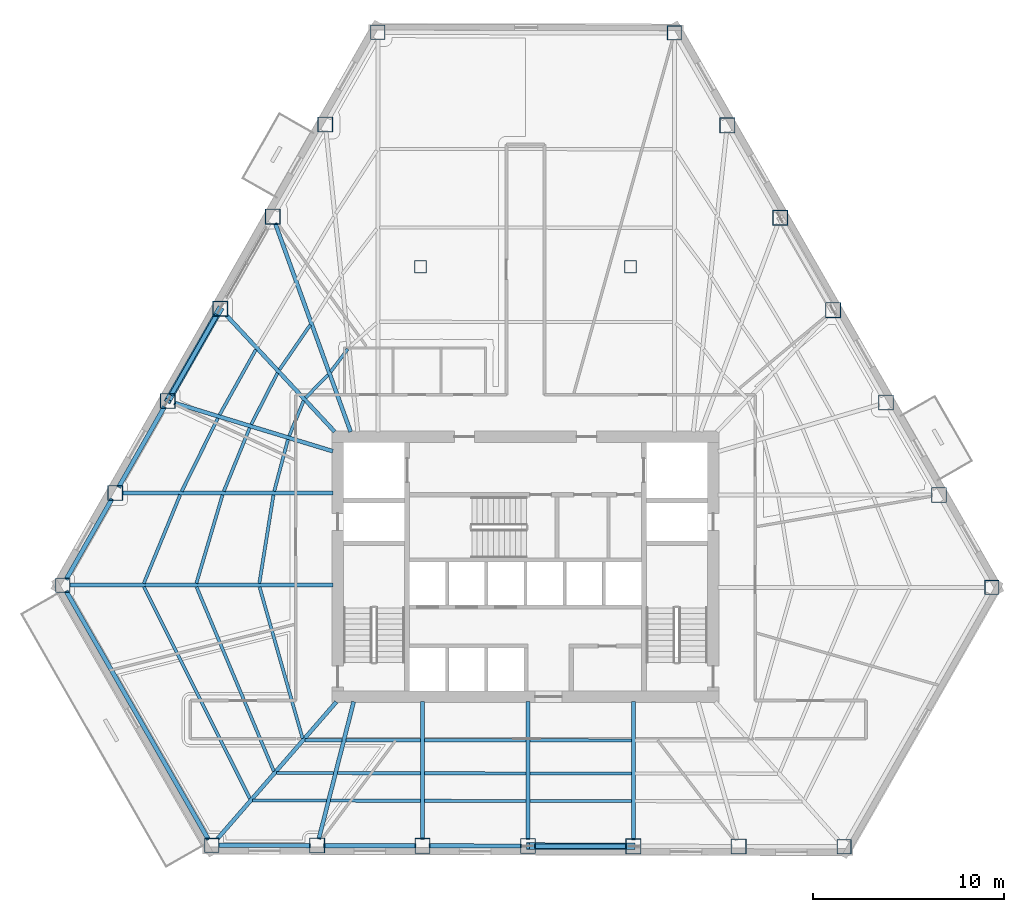
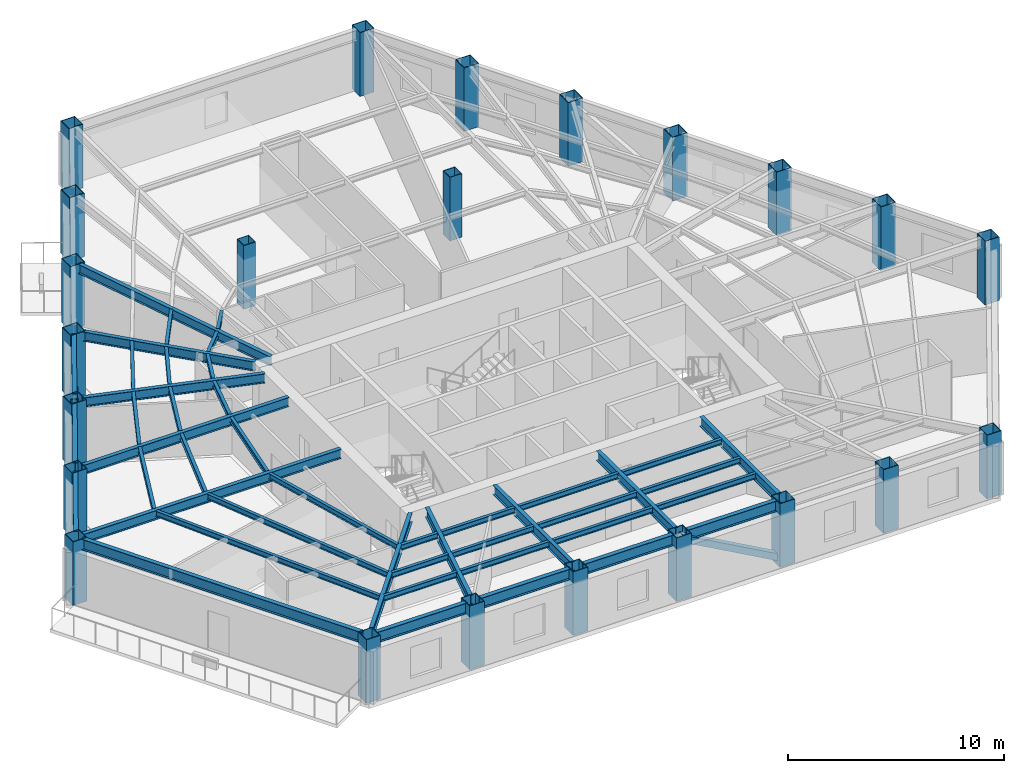
# One storey, part 1 of 14: 45 beams, 23 columns, 2 members.
"""IFC4 building model written with IfcOpenShell, lengths in metres."""

from ifc_helpers import new_model, si_unit, direction, frame, origin, origin_2d, place, context, subcontext, project, spatial, hollow_rectangle, i_section, extrude, material, material_profile, profile_set, type_object, element, save


model = new_model("IFC4")

# Units and contexts
model_context = context("Model", 3, precision=1e-05, world=origin(), true_north=direction((0.0, 1.0)))
body_context = subcontext(model_context, "Body", "Model", "MODEL_VIEW")
ifc_project = project(units=[si_unit("LENGTHUNIT", "METRE"), si_unit("AREAUNIT", "SQUARE_METRE"), si_unit("VOLUMEUNIT", "CUBIC_METRE"), si_unit("PLANEANGLEUNIT", "RADIAN"), si_unit("MASSUNIT", "GRAM", prefix="KILO")], contexts=[model_context])

# Site, building, storey
site_placement = place(None, origin())
site = spatial("IfcSite", under=ifc_project, at=site_placement, CompositionType="ELEMENT")
building_placement = place(site_placement, origin())
building = spatial("IfcBuilding", under=site, at=building_placement, Name="Kavelnor Concourse Tower", CompositionType="ELEMENT")
storey_placement = place(building_placement, frame((0.0, 0.0, 32.949951171875)))
storey = spatial("IfcBuildingStorey", under=building, at=storey_placement, Name="L08", CompositionType="ELEMENT", Elevation=32.949951171875)

# Columns
ifc_material = material(Name="Steel Grade 350", Category="steel")
ifc_material_profile_1 = material_profile(ifc_material, hollow_rectangle(XDim=0.760009765625, YDim=0.760009765625, WallThickness=0.034912109375, at=origin_2d()), Name="SHS 760x760x35")
ifc_profile_set_1 = profile_set([ifc_material_profile_1], Name="Steel Grade 350")
column_type_1 = type_object("IfcColumnType", Name="COL-FOLD-Z1", PredefinedType="COLUMN", material=ifc_profile_set_1)
for number, where, z_axis, x_axis, name in (
    (1, (30.271484375, 44.064697265625, 0.0), (0.0, 0.0, 1.0), (1.0, 0.0, 0.0), "L08 Perimeter Corner-Fold Column F0-B0"),
    (2, (13.789306640625, 15.134765625, 0.0), (0.0, 0.0, 1.0), (1.0, 0.0, 0.0), "L08 Perimeter Corner-Fold Column F0-B6"),
    (3, (21.583984375, 1.5234375, 0.0), (0.0, 0.0, 1.0), (1.0, 0.0, 0.0), "L08 Perimeter Corner-Fold Column F1-B0"),
    (4, (54.669677734375, 1.44970703125, 0.0), (0.0, 0.0, 1.0), (1.0, 0.0, 0.0), "L08 Perimeter Corner-Fold Column F1-B6"),
    (5, (62.402587890625, 15.022705078125, 0.0), (0.0, 0.0, 1.0), (1.0, 0.0, 0.0), "L08 Perimeter Corner-Fold Column F2-B0"),
    (6, (45.79052734375, 44.030029296875, 0.0), (0.0, 0.0, 1.0), (1.0, 0.0, 0.0), "L08 Perimeter Corner-Fold Column F2-B6"),
):
    element("IfcColumn", number, at=place(storey_placement, frame(where, z_axis=z_axis, x_axis=x_axis)), inside=storey, type_object=column_type_1, Name=name, PredefinedType="COLUMN", context=body_context, shape_type="SweptSolid", body=[
        extrude(hollow_rectangle(XDim=0.760009765625, YDim=0.760009765625, WallThickness=0.034912109375, at=origin_2d()), origin(), (0.0, 0.0, 1.0), 3.590087890625),
    ])
ifc_material_profile_2 = material_profile(ifc_material, hollow_rectangle(XDim=0.800048828125, YDim=0.800048828125, WallThickness=0.035888671875, at=origin_2d()), Name="SHS 800x800x36")
ifc_profile_set_2 = profile_set([ifc_material_profile_2], Name="Steel Grade 350")
column_type_2 = type_object("IfcColumnType", Name="COL-TUBE-Z1", PredefinedType="COLUMN", material=ifc_profile_set_2)
for number, where, z_axis, x_axis, name in (
    (7, (27.5244140625, 39.242919921875, 0.0), (0.0, 0.0, 1.0), (1.0, 0.0, 0.0), "L08 Perimeter Framed-Tube Column F0-B1"),
    (8, (24.77734375, 34.42138671875, 0.0), (0.0, 0.0, 1.0), (1.0, 0.0, 0.0), "L08 Perimeter Framed-Tube Column F0-B2"),
    (9, (22.0302734375, 29.599609375, 0.0), (0.0, 0.0, 1.0), (1.0, 0.0, 0.0), "L08 Perimeter Framed-Tube Column F0-B3"),
    (10, (19.283203125, 24.778076171875, 0.0), (0.0, 0.0, 1.0), (1.0, 0.0, 0.0), "L08 Perimeter Framed-Tube Column F0-B4"),
    (11, (16.5361328125, 19.956298828125, 0.0), (0.0, 0.0, 1.0), (1.0, 0.0, 0.0), "L08 Perimeter Framed-Tube Column F0-B5"),
    (12, (27.098388671875, 1.510986328125, 0.0), (0.0, 0.0, 1.0), (1.0, 0.0, 0.0), "L08 Perimeter Framed-Tube Column F1-B1"),
    (13, (32.612548828125, 1.498779296875, 0.0), (0.0, 0.0, 1.0), (1.0, 0.0, 0.0), "L08 Perimeter Framed-Tube Column F1-B2"),
    (14, (38.126953125, 1.486572265625, 0.0), (0.0, 0.0, 1.0), (1.0, 0.0, 0.0), "L08 Perimeter Framed-Tube Column F1-B3"),
    (15, (43.64111328125, 1.474365234375, 0.0), (0.0, 0.0, 1.0), (1.0, 0.0, 0.0), "L08 Perimeter Framed-Tube Column F1-B4"),
    (16, (49.1552734375, 1.4619140625, 0.0), (0.0, 0.0, 1.0), (1.0, 0.0, 0.0), "L08 Perimeter Framed-Tube Column F1-B5"),
    (17, (59.6337890625, 19.857421875, 0.0), (0.0, 0.0, 1.0), (1.0, 0.0, 0.0), "L08 Perimeter Framed-Tube Column F2-B1"),
    (18, (56.865234375, 24.69189453125, 0.0), (0.0, 0.0, 1.0), (1.0, 0.0, 0.0), "L08 Perimeter Framed-Tube Column F2-B2"),
    (19, (54.0966796875, 29.5263671875, 0.0), (0.0, 0.0, 1.0), (1.0, 0.0, 0.0), "L08 Perimeter Framed-Tube Column F2-B3"),
    (20, (51.327880859375, 34.361083984375, 0.0), (0.0, 0.0, 1.0), (1.0, 0.0, 0.0), "L08 Perimeter Framed-Tube Column F2-B4"),
    (21, (48.559326171875, 39.195556640625, 0.0), (0.0, 0.0, 1.0), (1.0, 0.0, 0.0), "L08 Perimeter Framed-Tube Column F2-B5"),
):
    element("IfcColumn", number, at=place(storey_placement, frame(where, z_axis=z_axis, x_axis=x_axis)), inside=storey, type_object=column_type_2, Name=name, PredefinedType="COLUMN", context=body_context, shape_type="SweptSolid", body=[
        extrude(hollow_rectangle(XDim=0.800048828125, YDim=0.800048828125, WallThickness=0.035888671875, at=origin_2d()), origin(), (0.0, 0.0, 1.0), 3.590087890625),
    ])
ifc_material_profile_3 = material_profile(ifc_material, hollow_rectangle(XDim=0.639892578125, YDim=0.639892578125, WallThickness=0.028076171875, at=origin_2d()), Name="SHS 640x640x28")
ifc_profile_set_3 = profile_set([ifc_material_profile_3], Name="Steel Grade 350")
column_type_3 = type_object("IfcColumnType", Name="COL-TUBE-Z3", PredefinedType="COLUMN", material=ifc_profile_set_3)
for number, where, z_axis, x_axis, name in (
    (22, (32.5, 31.800048828125, 0.0), (0.0, 0.0, 1.0), (1.0, 0.0, 0.0), "L08 North Interior Gravity Column BC-NW"),
    (23, (43.5, 31.800048828125, 0.0), (0.0, 0.0, 1.0), (1.0, 0.0, 0.0), "L08 North Interior Gravity Column BC-NE"),
):
    element("IfcColumn", number, at=place(storey_placement, frame(where, z_axis=z_axis, x_axis=x_axis)), inside=storey, type_object=column_type_3, Name=name, PredefinedType="COLUMN", context=body_context, shape_type="SweptSolid", body=[
        extrude(hollow_rectangle(XDim=0.639892578125, YDim=0.639892578125, WallThickness=0.028076171875, at=origin_2d()), origin(), (0.0, 0.0, 1.0), 3.590087890625),
    ])

# Beams
ifc_material_profile_4 = material_profile(ifc_material, i_section(OverallWidth=0.166015625, OverallDepth=0.306884765625, WebThickness=0.006591796875, FlangeThickness=0.01171875, at=origin_2d()), Name="310UB46")
ifc_profile_set_4 = profile_set([ifc_material_profile_4], Name="Steel Grade 350")
beam_type_1 = type_object("IfcBeamType", Name="BM-JOIST-310", PredefinedType="JOIST", material=ifc_profile_set_4)
beam_1_placement = place(storey_placement, frame((24.08544921875, 15.0400390625, 3.4365234375), z_axis=(0.273393087611, -0.961902396112, 0.0), x_axis=(0.961902396112, 0.273393087611, 0.0)))
element("IfcBeam", 24, at=beam_1_placement, inside=storey, type_object=beam_type_1, Name="L08 Secondary Composite Joist 01-1", PredefinedType="JOIST", context=body_context, shape_type="SweptSolid", body=[
    extrude(i_section(OverallWidth=0.166015625, OverallDepth=0.306884765625, WebThickness=0.006591796875, FlangeThickness=0.01171875, at=origin_2d()), origin(), (0.0, 0.0, 1.0), 8.232666015625),
])
beam_2_placement = place(storey_placement, frame((20.786865234375, 15.0439453125, 3.4365234375), z_axis=(0.386881641422, -0.922129381123, 0.0), x_axis=(0.922129381123, 0.386881641422, 0.0)))
element("IfcBeam", 25, at=beam_2_placement, inside=storey, type_object=beam_type_1, Name="L08 Secondary Composite Joist 01-2", PredefinedType="JOIST", context=body_context, shape_type="SweptSolid", body=[
    extrude(i_section(OverallWidth=0.166015625, OverallDepth=0.306884765625, WebThickness=0.006591796875, FlangeThickness=0.01171875, at=origin_2d()), origin(), (0.0, 0.0, 1.0), 10.458984375),
])
beam_3_placement = place(storey_placement, frame((18.03466796875, 15.046630859375, 3.4365234375), z_axis=(0.447780840373, -0.894143343651, 0.0), x_axis=(0.894143343651, 0.447780840373, 0.0)))
element("IfcBeam", 26, at=beam_3_placement, inside=storey, type_object=beam_type_1, Name="L08 Secondary Composite Joist 01-3", PredefinedType="JOIST", context=body_context, shape_type="SweptSolid", body=[
    extrude(i_section(OverallWidth=0.166015625, OverallDepth=0.306884765625, WebThickness=0.006591796875, FlangeThickness=0.01171875, at=origin_2d()), origin(), (0.0, 0.0, 1.0), 12.3935546875),
])
beam_4_placement = place(storey_placement, frame((26.461669921875, 7.0263671875, 3.4365234375), z_axis=(0.999999992067, 0.000125960447, 0.0), x_axis=(-0.000125960447, 0.999999992067, 0.0)))
element("IfcBeam", 27, at=beam_4_placement, inside=storey, type_object=beam_type_1, Name="L08 Secondary Composite Joist 02-1", PredefinedType="JOIST", context=body_context, shape_type="SweptSolid", body=[
    extrude(i_section(OverallWidth=0.166015625, OverallDepth=0.306884765625, WebThickness=0.006591796875, FlangeThickness=0.01171875, at=origin_2d()), origin(), (0.0, 0.0, 1.0), 1.938232421875),
])
beam_5_placement = place(storey_placement, frame((24.969970703125, 5.308349609375, 3.4365234375), z_axis=(0.99999774945, -0.002121578253, 0.0), x_axis=(0.002121578253, 0.99999774945, 0.0)))
element("IfcBeam", 28, at=beam_5_placement, inside=storey, type_object=beam_type_1, Name="L08 Secondary Composite Joist 02-2", PredefinedType="JOIST", context=body_context, shape_type="SweptSolid", body=[
    extrude(i_section(OverallWidth=0.166015625, OverallDepth=0.306884765625, WebThickness=0.006591796875, FlangeThickness=0.01171875, at=origin_2d()), origin(), (0.0, 0.0, 1.0), 2.991943359375),
])
beam_6_placement = place(storey_placement, frame((23.726806640625, 3.876953125, 3.4365234375), z_axis=(0.999995026251, -0.003153961478, 0.0), x_axis=(0.003153961478, 0.999995026251, 0.0)))
element("IfcBeam", 29, at=beam_6_placement, inside=storey, type_object=beam_type_1, Name="L08 Secondary Composite Joist 02-3", PredefinedType="JOIST", context=body_context, shape_type="SweptSolid", body=[
    extrude(i_section(OverallWidth=0.166015625, OverallDepth=0.306884765625, WebThickness=0.006591796875, FlangeThickness=0.01171875, at=origin_2d()), origin(), (0.0, 0.0, 1.0), 3.870361328125),
])
beam_7_placement = place(storey_placement, frame((28.5966796875, 7.026611328125, 3.4365234375), z_axis=(0.99999972036, -0.000747849722, 0.0), x_axis=(0.000747849722, 0.99999972036, 0.0)))
element("IfcBeam", 30, at=beam_7_placement, inside=storey, type_object=beam_type_1, Name="L08 Secondary Composite Joist 03-1", PredefinedType="JOIST", context=body_context, shape_type="SweptSolid", body=[
    extrude(i_section(OverallWidth=0.166015625, OverallDepth=0.306884765625, WebThickness=0.006591796875, FlangeThickness=0.01171875, at=origin_2d()), origin(), (0.0, 0.0, 1.0), 3.91748046875),
])
beam_8_placement = place(storey_placement, frame((28.158935546875, 5.3017578125, 3.4365234375), z_axis=(0.999998937877, -0.001457479252, 0.0), x_axis=(0.001457479252, 0.999998937877, 0.0)))
element("IfcBeam", 31, at=beam_8_placement, inside=storey, type_object=beam_type_1, Name="L08 Secondary Composite Joist 03-2", PredefinedType="JOIST", context=body_context, shape_type="SweptSolid", body=[
    extrude(i_section(OverallWidth=0.166015625, OverallDepth=0.306884765625, WebThickness=0.006591796875, FlangeThickness=0.01171875, at=origin_2d()), origin(), (0.0, 0.0, 1.0), 4.355224609375),
])
beam_9_placement = place(storey_placement, frame((27.794189453125, 3.8642578125, 3.4365234375), z_axis=(0.99999816864, -0.001913822596, 0.0), x_axis=(0.001913822596, 0.99999816864, 0.0)))
element("IfcBeam", 32, at=beam_9_placement, inside=storey, type_object=beam_type_1, Name="L08 Secondary Composite Joist 03-3", PredefinedType="JOIST", context=body_context, shape_type="SweptSolid", body=[
    extrude(i_section(OverallWidth=0.166015625, OverallDepth=0.306884765625, WebThickness=0.006591796875, FlangeThickness=0.01171875, at=origin_2d()), origin(), (0.0, 0.0, 1.0), 4.719970703125),
])
for number, where, z_axis, x_axis, name in (
    (33, (32.711181640625, 7.023681640625, 3.4365234375), (0.999999793391, -0.000642820933, 0.0), (0.000642820933, 0.999999793391, 0.0), "L08 Secondary Composite Joist 04-1"),
    (34, (32.711181640625, 5.29541015625, 3.4365234375), (0.999999287409, -0.001193809701, 0.0), (0.001193809701, 0.999999287409, 0.0), "L08 Secondary Composite Joist 04-2"),
    (35, (32.711181640625, 3.85498046875, 3.4365234375), (0.999998708693, -0.00160705059, 0.0), (0.00160705059, 0.999998708693, 0.0), "L08 Secondary Composite Joist 04-3"),
    (36, (38.225341796875, 7.020263671875, 3.4365234375), (0.999999793391, -0.000642820933, 0.0), (0.000642820933, 0.999999793391, 0.0), "L08 Secondary Composite Joist 05-1"),
    (37, (38.225341796875, 5.288818359375, 3.4365234375), (0.999999341169, -0.001147894005, 0.0), (0.001147894005, 0.999999341169, 0.0), "L08 Secondary Composite Joist 05-2"),
    (38, (38.225341796875, 3.84619140625, 3.4365234375), (0.999998708693, -0.00160705059, 0.0), (0.00160705059, 0.999998708693, 0.0), "L08 Secondary Composite Joist 05-3"),
):
    element("IfcBeam", number, at=place(storey_placement, frame(where, z_axis=z_axis, x_axis=x_axis)), inside=storey, type_object=beam_type_1, Name=name, PredefinedType="JOIST", context=body_context, shape_type="SweptSolid", body=[
        extrude(i_section(OverallWidth=0.166015625, OverallDepth=0.306884765625, WebThickness=0.006591796875, FlangeThickness=0.01171875, at=origin_2d()), origin(), (0.0, 0.0, 1.0), 5.317138671875),
    ])
beam_10_placement = place(storey_placement, frame((28.7001953125, 27.489501953125, 3.4365234375), z_axis=(-0.600968969925, -0.799272354825, 0.0), x_axis=(0.799272354825, -0.600968969925, 0.0)))
element("IfcBeam", 39, at=beam_10_placement, inside=storey, type_object=beam_type_1, Name="L08 Secondary Composite Joist 17-1", PredefinedType="JOIST", context=body_context, shape_type="SweptSolid", body=[
    extrude(i_section(OverallWidth=0.166015625, OverallDepth=0.306884765625, WebThickness=0.006591796875, FlangeThickness=0.01171875, at=origin_2d()), origin(), (0.0, 0.0, 1.0), 1.490966796875),
])
beam_11_placement = place(storey_placement, frame((27.676025390625, 26.148681640625, 3.4365234375), z_axis=(-0.699171910977, -0.714953592131, 0.0), x_axis=(0.714953592131, -0.699171910977, 0.0)))
element("IfcBeam", 40, at=beam_11_placement, inside=storey, type_object=beam_type_1, Name="L08 Secondary Composite Joist 18-1", PredefinedType="JOIST", context=body_context, shape_type="SweptSolid", body=[
    extrude(i_section(OverallWidth=0.166015625, OverallDepth=0.306884765625, WebThickness=0.006591796875, FlangeThickness=0.01171875, at=origin_2d()), origin(), (0.0, 0.0, 1.0), 1.686279296875),
])
beam_12_placement = place(storey_placement, frame((26.7412109375, 28.7578125, 3.4365234375), z_axis=(-0.566987288295, -0.823726541343, 0.0), x_axis=(0.823726541343, -0.566987288295, 0.0)))
element("IfcBeam", 41, at=beam_12_placement, inside=storey, type_object=beam_type_1, Name="L08 Secondary Composite Joist 18-2", PredefinedType="JOIST", context=body_context, shape_type="SweptSolid", body=[
    extrude(i_section(OverallWidth=0.166015625, OverallDepth=0.306884765625, WebThickness=0.006591796875, FlangeThickness=0.01171875, at=origin_2d()), origin(), (0.0, 0.0, 1.0), 2.84716796875),
])
beam_13_placement = place(storey_placement, frame((26.390625, 24.781494140625, 3.4365234375), z_axis=(-0.38094757807, -0.924596637871, 0.0), x_axis=(0.924596637871, -0.38094757807, 0.0)))
element("IfcBeam", 42, at=beam_13_placement, inside=storey, type_object=beam_type_1, Name="L08 Secondary Composite Joist 19-1", PredefinedType="JOIST", context=body_context, shape_type="SweptSolid", body=[
    extrude(i_section(OverallWidth=0.166015625, OverallDepth=0.306884765625, WebThickness=0.006591796875, FlangeThickness=0.01171875, at=origin_2d()), origin(), (0.0, 0.0, 1.0), 1.98681640625),
])
beam_14_placement = place(storey_placement, frame((25.0263671875, 26.24365234375, 3.4365234375), z_axis=(-0.454587906946, -0.890701877655, 0.0), x_axis=(0.890701877655, -0.454587906946, 0.0)))
element("IfcBeam", 43, at=beam_14_placement, inside=storey, type_object=beam_type_1, Name="L08 Secondary Composite Joist 19-2", PredefinedType="JOIST", context=body_context, shape_type="SweptSolid", body=[
    extrude(i_section(OverallWidth=0.166015625, OverallDepth=0.306884765625, WebThickness=0.006591796875, FlangeThickness=0.01171875, at=origin_2d()), origin(), (0.0, 0.0, 1.0), 3.0263671875),
])
beam_15_placement = place(storey_placement, frame((23.89208984375, 27.4609375, 3.4365234375), z_axis=(-0.486253862223, -0.873817590504, 0.0), x_axis=(0.873817590504, -0.486253862223, 0.0)))
element("IfcBeam", 44, at=beam_15_placement, inside=storey, type_object=beam_type_1, Name="L08 Secondary Composite Joist 19-3", PredefinedType="JOIST", context=body_context, shape_type="SweptSolid", body=[
    extrude(i_section(OverallWidth=0.166015625, OverallDepth=0.306884765625, WebThickness=0.006591796875, FlangeThickness=0.01171875, at=origin_2d()), origin(), (0.0, 0.0, 1.0), 3.901123046875),
])
beam_16_placement = place(storey_placement, frame((25.57080078125, 22.75830078125, 3.4365234375), z_axis=(-0.256316678409, -0.966592861741, 0.0), x_axis=(0.966592861741, -0.256316678409, 0.0)))
element("IfcBeam", 45, at=beam_16_placement, inside=storey, type_object=beam_type_1, Name="L08 Secondary Composite Joist 20-1", PredefinedType="JOIST", context=body_context, shape_type="SweptSolid", body=[
    extrude(i_section(OverallWidth=0.166015625, OverallDepth=0.306884765625, WebThickness=0.006591796875, FlangeThickness=0.01171875, at=origin_2d()), origin(), (0.0, 0.0, 1.0), 2.80029296875),
])
beam_17_placement = place(storey_placement, frame((23.568603515625, 23.369140625, 3.4365234375), z_axis=(-0.377543340702, -0.925991914593, 0.0), x_axis=(0.925991914593, -0.377543340702, 0.0)))
element("IfcBeam", 46, at=beam_17_placement, inside=storey, type_object=beam_type_1, Name="L08 Secondary Composite Joist 20-2", PredefinedType="JOIST", context=body_context, shape_type="SweptSolid", body=[
    extrude(i_section(OverallWidth=0.166015625, OverallDepth=0.306884765625, WebThickness=0.006591796875, FlangeThickness=0.01171875, at=origin_2d()), origin(), (0.0, 0.0, 1.0), 3.5869140625),
])
beam_18_placement = place(storey_placement, frame((21.903564453125, 23.877685546875, 3.4365234375), z_axis=(-0.442500799148, -0.8967681098, 0.0), x_axis=(0.8967681098, -0.442500799148, 0.0)))
element("IfcBeam", 47, at=beam_18_placement, inside=storey, type_object=beam_type_1, Name="L08 Secondary Composite Joist 20-3", PredefinedType="JOIST", context=body_context, shape_type="SweptSolid", body=[
    extrude(i_section(OverallWidth=0.166015625, OverallDepth=0.306884765625, WebThickness=0.006591796875, FlangeThickness=0.01171875, at=origin_2d()), origin(), (0.0, 0.0, 1.0), 4.274169921875),
])
beam_19_placement = place(storey_placement, frame((24.812255859375, 19.859130859375, 3.4365234375), z_axis=(-0.15750887043, -0.987517572368, 0.0), x_axis=(0.987517572368, -0.15750887043, 0.0)))
element("IfcBeam", 48, at=beam_19_placement, inside=storey, type_object=beam_type_1, Name="L08 Secondary Composite Joist 21-1", PredefinedType="JOIST", context=body_context, shape_type="SweptSolid", body=[
    extrude(i_section(OverallWidth=0.166015625, OverallDepth=0.306884765625, WebThickness=0.006591796875, FlangeThickness=0.01171875, at=origin_2d()), origin(), (0.0, 0.0, 1.0), 4.685791015625),
])
beam_20_placement = place(storey_placement, frame((22.149169921875, 19.862060546875, 3.4365234375), z_axis=(-0.284004034415, -0.958823085056, 0.0), x_axis=(0.958823085056, -0.284004034415, 0.0)))
element("IfcBeam", 49, at=beam_20_placement, inside=storey, type_object=beam_type_1, Name="L08 Secondary Composite Joist 21-2", PredefinedType="JOIST", context=body_context, shape_type="SweptSolid", body=[
    extrude(i_section(OverallWidth=0.166015625, OverallDepth=0.306884765625, WebThickness=0.006591796875, FlangeThickness=0.01171875, at=origin_2d()), origin(), (0.0, 0.0, 1.0), 4.83203125),
])
beam_21_placement = place(storey_placement, frame((19.93115234375, 19.865234375, 3.4365234375), z_axis=(-0.379510409206, -0.925187467114, 0.0), x_axis=(0.925187467114, -0.379510409206, 0.0)))
element("IfcBeam", 50, at=beam_21_placement, inside=storey, type_object=beam_type_1, Name="L08 Secondary Composite Joist 21-3", PredefinedType="JOIST", context=body_context, shape_type="SweptSolid", body=[
    extrude(i_section(OverallWidth=0.166015625, OverallDepth=0.306884765625, WebThickness=0.006591796875, FlangeThickness=0.01171875, at=origin_2d()), origin(), (0.0, 0.0, 1.0), 5.0146484375),
])
ifc_material_profile_5 = material_profile(ifc_material, i_section(OverallWidth=0.208984375, OverallDepth=0.528076171875, WebThickness=0.009521484375, FlangeThickness=0.01318359375, at=origin_2d()), Name="530UB82")
ifc_profile_set_5 = profile_set([ifc_material_profile_5], Name="Steel Grade 350")
beam_type_2 = type_object("IfcBeamType", Name="BM-PRIMARY-530", PredefinedType="BEAM", material=ifc_profile_set_5)
beam_22_placement = place(storey_placement, frame((28.850830078125, 23.162353515625, 3.325927734375), z_axis=(-0.340219567983, 0.940346024377, 0.0), x_axis=(-0.940346024377, -0.340219567983, 0.0)))
element("IfcBeam", 51, at=beam_22_placement, inside=storey, type_object=beam_type_2, Name="L08 Primary Floor Girder F0-B2", PredefinedType="BEAM", context=body_context, shape_type="SweptSolid", body=[
    extrude(i_section(OverallWidth=0.208984375, OverallDepth=0.528076171875, WebThickness=0.009521484375, FlangeThickness=0.01318359375, at=origin_2d()), origin(), (0.0, 0.0, 1.0), 11.609375),
])
beam_23_placement = place(storey_placement, frame((28.01171875, 23.170654296875, 3.325927734375), z_axis=(-0.681151235891, 0.73214274144, 0.0), x_axis=(-0.73214274144, -0.681151235891, 0.0)))
element("IfcBeam", 52, at=beam_23_placement, inside=storey, type_object=beam_type_2, Name="L08 Primary Floor Girder F0-B3", PredefinedType="BEAM", context=body_context, shape_type="SweptSolid", body=[
    extrude(i_section(OverallWidth=0.208984375, OverallDepth=0.528076171875, WebThickness=0.009521484375, FlangeThickness=0.01318359375, at=origin_2d()), origin(), (0.0, 0.0, 1.0), 8.30224609375),
])
beam_24_placement = place(storey_placement, frame((27.918212890625, 22.1455078125, 3.325927734375), z_axis=(-0.95653565691, 0.291615392357, 0.0), x_axis=(-0.291615392357, -0.95653565691, 0.0)))
element("IfcBeam", 53, at=beam_24_placement, inside=storey, type_object=beam_type_2, Name="L08 Primary Floor Girder F0-B4", PredefinedType="BEAM", context=body_context, shape_type="SweptSolid", body=[
    extrude(i_section(OverallWidth=0.208984375, OverallDepth=0.528076171875, WebThickness=0.009521484375, FlangeThickness=0.01318359375, at=origin_2d()), origin(), (0.0, 0.0, 1.0), 8.670166015625),
])
beam_25_placement = place(storey_placement, frame((27.919921875, 19.956298828125, 3.325927734375), z_axis=(-1.0, 0.0, 0.0), x_axis=(0.0, -1.0, 0.0)))
element("IfcBeam", 54, at=beam_25_placement, inside=storey, type_object=beam_type_2, Name="L08 Primary Floor Girder F0-B5", PredefinedType="BEAM", context=body_context, shape_type="SweptSolid", body=[
    extrude(i_section(OverallWidth=0.208984375, OverallDepth=0.528076171875, WebThickness=0.009521484375, FlangeThickness=0.01318359375, at=origin_2d()), origin(), (0.0, 0.0, 1.0), 11.043701171875),
])
beam_26_placement = place(storey_placement, frame((27.919921875, 15.134765625, 3.325927734375), z_axis=(-1.0, 0.0, 0.0), x_axis=(0.0, -1.0, 0.0)))
element("IfcBeam", 55, at=beam_26_placement, inside=storey, type_object=beam_type_2, Name="L08 Primary Floor Girder F0-B6", PredefinedType="BEAM", context=body_context, shape_type="SweptSolid", body=[
    extrude(i_section(OverallWidth=0.208984375, OverallDepth=0.528076171875, WebThickness=0.009521484375, FlangeThickness=0.01318359375, at=origin_2d()), origin(), (0.0, 0.0, 1.0), 13.790771484375),
])
beam_27_placement = place(storey_placement, frame((28.103515625, 9.0302734375, 3.325927734375), z_axis=(-0.65570481515, -0.75501734774, 0.0), x_axis=(0.75501734774, -0.65570481515, 0.0)))
element("IfcBeam", 56, at=beam_27_placement, inside=storey, type_object=beam_type_2, Name="L08 Primary Floor Girder F1-B0", PredefinedType="BEAM", context=body_context, shape_type="SweptSolid", body=[
    extrude(i_section(OverallWidth=0.208984375, OverallDepth=0.528076171875, WebThickness=0.009521484375, FlangeThickness=0.01318359375, at=origin_2d()), origin(), (0.0, 0.0, 1.0), 9.479248046875),
])
beam_28_placement = place(storey_placement, frame((29.009033203125, 9.038818359375, 3.325927734375), z_axis=(-0.246036005922, -0.969260689283, 0.0), x_axis=(0.969260689283, -0.246036005922, 0.0)))
element("IfcBeam", 57, at=beam_28_placement, inside=storey, type_object=beam_type_2, Name="L08 Primary Floor Girder F1-B1", PredefinedType="BEAM", context=body_context, shape_type="SweptSolid", body=[
    extrude(i_section(OverallWidth=0.208984375, OverallDepth=0.528076171875, WebThickness=0.009521484375, FlangeThickness=0.01318359375, at=origin_2d()), origin(), (0.0, 0.0, 1.0), 7.41455078125),
])
beam_29_placement = place(storey_placement, frame((32.612548828125, 9.0400390625, 3.325927734375), z_axis=(0.0, -1.0, 0.0), x_axis=(1.0, 0.0, 0.0)))
element("IfcBeam", 58, at=beam_29_placement, inside=storey, type_object=beam_type_2, Name="L08 Primary Floor Girder F1-B2", PredefinedType="BEAM", context=body_context, shape_type="SweptSolid", body=[
    extrude(i_section(OverallWidth=0.208984375, OverallDepth=0.528076171875, WebThickness=0.009521484375, FlangeThickness=0.01318359375, at=origin_2d()), origin(), (0.0, 0.0, 1.0), 7.201171875),
])
beam_30_placement = place(storey_placement, frame((38.126953125, 9.0400390625, 3.325927734375), z_axis=(0.0, -1.0, 0.0), x_axis=(1.0, 0.0, 0.0)))
element("IfcBeam", 59, at=beam_30_placement, inside=storey, type_object=beam_type_2, Name="L08 Primary Floor Girder F1-B3", PredefinedType="BEAM", context=body_context, shape_type="SweptSolid", body=[
    extrude(i_section(OverallWidth=0.208984375, OverallDepth=0.528076171875, WebThickness=0.009521484375, FlangeThickness=0.01318359375, at=origin_2d()), origin(), (0.0, 0.0, 1.0), 7.21337890625),
])
beam_31_placement = place(storey_placement, frame((43.64111328125, 9.0400390625, 3.325927734375), z_axis=(0.0, -1.0, 0.0), x_axis=(1.0, 0.0, 0.0)))
element("IfcBeam", 60, at=beam_31_placement, inside=storey, type_object=beam_type_2, Name="L08 Primary Floor Girder F1-B4", PredefinedType="BEAM", context=body_context, shape_type="SweptSolid", body=[
    extrude(i_section(OverallWidth=0.208984375, OverallDepth=0.528076171875, WebThickness=0.009521484375, FlangeThickness=0.01318359375, at=origin_2d()), origin(), (0.0, 0.0, 1.0), 7.225830078125),
])
ifc_material_profile_6 = material_profile(ifc_material, i_section(OverallWidth=0.22900390625, OverallDepth=0.612060546875, WebThickness=0.011962890625, FlangeThickness=0.01953125, at=origin_2d()), Name="610UB125")
ifc_profile_set_6 = profile_set([ifc_material_profile_6], Name="Steel Grade 350")
beam_type_3 = type_object("IfcBeamType", Name="BM-SPANDREL-Z1", PredefinedType="SPANDREL", material=ifc_profile_set_6)
beam_32_placement = place(storey_placement, frame((21.859619140625, 29.2998046875, 3.283935546875), z_axis=(-0.495050966719, -0.868863936615, 0.0), x_axis=(0.868863936615, -0.495050966719, 0.0)))
element("IfcBeam", 61, at=beam_32_placement, inside=storey, type_object=beam_type_3, Name="L08 Perimeter Tube Spandrel Beam F0-B3", PredefinedType="SPANDREL", context=body_context, shape_type="SweptSolid", body=[
    extrude(i_section(OverallWidth=0.22900390625, OverallDepth=0.612060546875, WebThickness=0.011962890625, FlangeThickness=0.01953125, at=origin_2d()), origin(), (0.0, 0.0, 1.0), 4.859130859375),
])
beam_33_placement = place(storey_placement, frame((19.112548828125, 24.478271484375, 3.283935546875), z_axis=(-0.495029356099, -0.868876249302, 0.0), x_axis=(0.868876249302, -0.495029356099, 0.0)))
element("IfcBeam", 62, at=beam_33_placement, inside=storey, type_object=beam_type_3, Name="L08 Perimeter Tube Spandrel Beam F0-B4", PredefinedType="SPANDREL", context=body_context, shape_type="SweptSolid", body=[
    extrude(i_section(OverallWidth=0.22900390625, OverallDepth=0.612060546875, WebThickness=0.011962890625, FlangeThickness=0.01953125, at=origin_2d()), origin(), (0.0, 0.0, 1.0), 4.859375),
])
beam_34_placement = place(storey_placement, frame((16.365478515625, 19.656494140625, 3.283935546875), z_axis=(-0.495050966719, -0.868863936615, 0.0), x_axis=(0.868863936615, -0.495050966719, 0.0)))
element("IfcBeam", 63, at=beam_34_placement, inside=storey, type_object=beam_type_3, Name="L08 Perimeter Tube Spandrel Beam F0-B5", PredefinedType="SPANDREL", context=body_context, shape_type="SweptSolid", body=[
    extrude(i_section(OverallWidth=0.22900390625, OverallDepth=0.612060546875, WebThickness=0.011962890625, FlangeThickness=0.01953125, at=origin_2d()), origin(), (0.0, 0.0, 1.0), 4.859130859375),
])
for number, where, z_axis, x_axis, name in (
    (64, (21.92919921875, 1.522705078125, 3.283935546875), (0.999997520867, -0.002226715127, 0.0), (0.002226715127, 0.999997520867, 0.0), "L08 Perimeter Tube Spandrel Beam F1-B0"),
    (65, (27.443359375, 1.51025390625, 3.283935546875), (0.999997520867, -0.002226715127, 0.0), (0.002226715127, 0.999997520867, 0.0), "L08 Perimeter Tube Spandrel Beam F1-B1"),
):
    element("IfcBeam", number, at=place(storey_placement, frame(where, z_axis=z_axis, x_axis=x_axis)), inside=storey, type_object=beam_type_3, Name=name, PredefinedType="SPANDREL", context=body_context, shape_type="SweptSolid", body=[
        extrude(i_section(OverallWidth=0.22900390625, OverallDepth=0.612060546875, WebThickness=0.011962890625, FlangeThickness=0.01953125, at=origin_2d()), origin(), (0.0, 0.0, 1.0), 4.82421875),
    ])
beam_35_placement = place(storey_placement, frame((32.95751953125, 1.498046875, 3.283935546875), z_axis=(0.999997521118, -0.002226602446, 0.0), x_axis=(0.002226602446, 0.999997521118, 0.0)))
element("IfcBeam", 66, at=beam_35_placement, inside=storey, type_object=beam_type_3, Name="L08 Perimeter Tube Spandrel Beam F1-B2", PredefinedType="SPANDREL", context=body_context, shape_type="SweptSolid", body=[
    extrude(i_section(OverallWidth=0.22900390625, OverallDepth=0.612060546875, WebThickness=0.011962890625, FlangeThickness=0.01953125, at=origin_2d()), origin(), (0.0, 0.0, 1.0), 4.824462890625),
])
beam_36_placement = place(storey_placement, frame((38.471923828125, 1.48583984375, 3.283935546875), z_axis=(0.999997520867, -0.002226715127, 0.0), x_axis=(0.002226715127, 0.999997520867, 0.0)))
element("IfcBeam", 67, at=beam_36_placement, inside=storey, type_object=beam_type_3, Name="L08 Perimeter Tube Spandrel Beam F1-B3", PredefinedType="SPANDREL", context=body_context, shape_type="SweptSolid", body=[
    extrude(i_section(OverallWidth=0.22900390625, OverallDepth=0.612060546875, WebThickness=0.011962890625, FlangeThickness=0.01953125, at=origin_2d()), origin(), (0.0, 0.0, 1.0), 4.82421875),
])
beam_37_placement = place(storey_placement, frame((13.960693359375, 14.835205078125, 3.283935546875), z_axis=(0.49695403688, -0.867776863732, 0.0), x_axis=(0.867776863732, 0.49695403688, 0.0)))
element("IfcBeam", 68, at=beam_37_placement, inside=storey, type_object=beam_type_3, Name="L08 Chamfer Facet Spandrel Beam C1", PredefinedType="SPANDREL", context=body_context, shape_type="SweptSolid", body=[
    extrude(i_section(OverallWidth=0.22900390625, OverallDepth=0.612060546875, WebThickness=0.011962890625, FlangeThickness=0.01953125, at=origin_2d()), origin(), (0.0, 0.0, 1.0), 14.9951171875),
])

# Members
ifc_material_profile_7 = material_profile(ifc_material, hollow_rectangle(XDim=0.35009765625, YDim=0.35009765625, WallThickness=0.02001953125, at=origin_2d()), Name="SHS 350x350x20")
ifc_profile_set_7 = profile_set([ifc_material_profile_7], Name="Steel Grade 350")
member_type = type_object("IfcMemberType", Name="MBR-TUBE-DIAG-Z1", PredefinedType="BRACE", material=ifc_profile_set_7)
member_1_placement = place(storey_placement, frame((22.0302734375, 29.599609375, 0.219970703125), z_axis=(-0.433368088367, -0.760628010769, 0.483360247868), x_axis=(0.868870569165, -0.49503932575, 0.0)))
element("IfcMember", 69, at=member_1_placement, inside=storey, type_object=member_type, Name="L08 Framed-Tube Bracing Diagonal F0-B3", PredefinedType="BRACE", context=body_context, shape_type="SweptSolid", body=[
    extrude(hollow_rectangle(XDim=0.35009765625, YDim=0.35009765625, WallThickness=0.02001953125, at=origin_2d()), origin(), (0.0, 0.0, 1.0), 6.3388671875),
])
member_2_placement = place(storey_placement, frame((43.64111328125, 1.474365234375, 0.219970703125), z_axis=(-0.874119125832, 0.0019350906, 0.4857077406), x_axis=(-0.002213755312, -0.999997549641, 0.0)))
element("IfcMember", 70, at=member_2_placement, inside=storey, type_object=member_type, Name="L08 Framed-Tube Bracing Diagonal F1-B3", PredefinedType="BRACE", context=body_context, shape_type="SweptSolid", body=[
    extrude(hollow_rectangle(XDim=0.35009765625, YDim=0.35009765625, WallThickness=0.02001953125, at=origin_2d()), origin(), (0.0, 0.0, 1.0), 6.308349609375),
])

save(model, "model.ifc")
